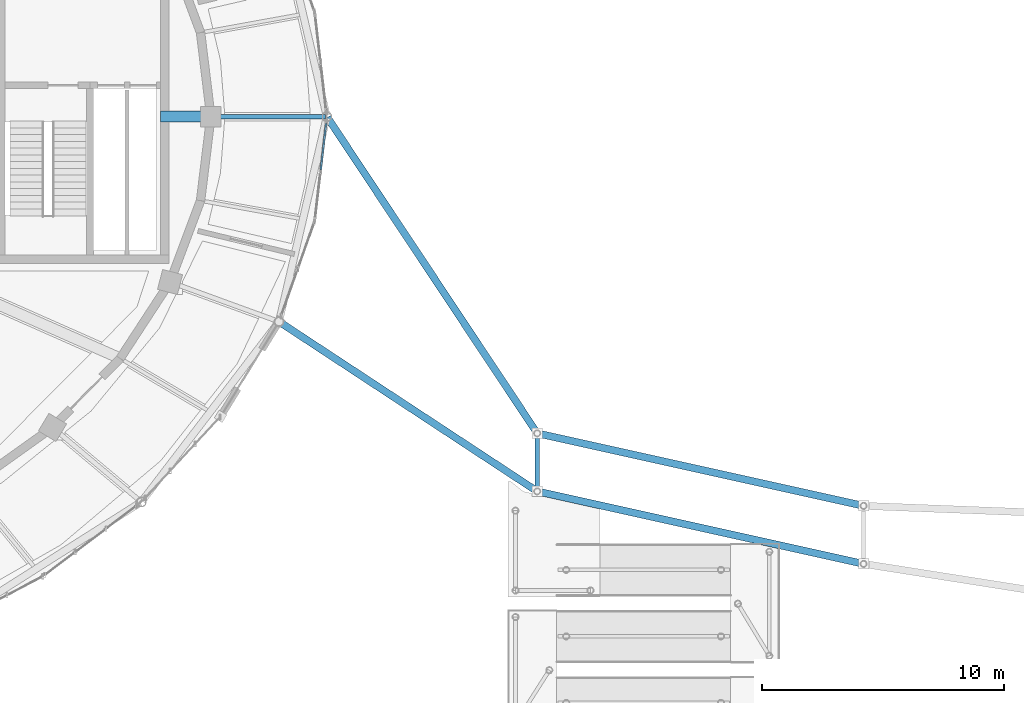
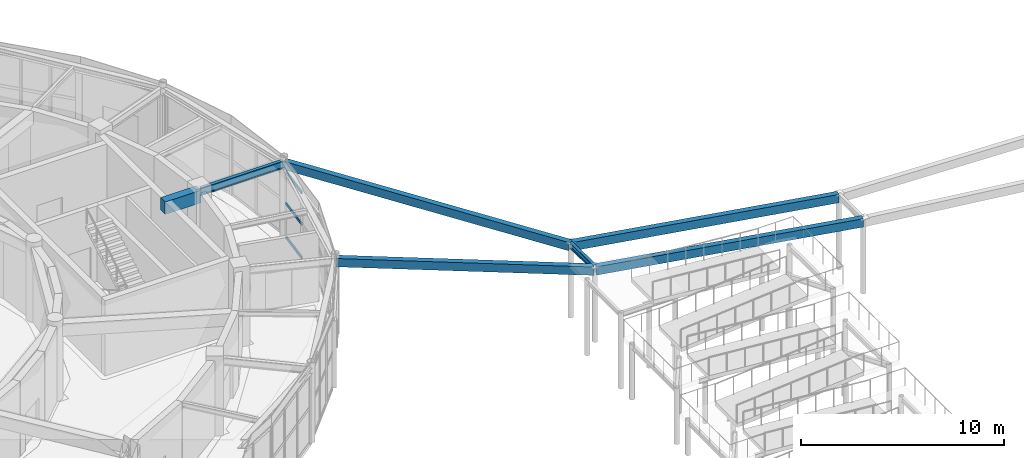
# One storey, part 45 of 108: 7 beams, 3 members, 1 element without a shape of its own.
"""IFC4 building model written with IfcOpenShell, lengths in metres."""

from ifc_helpers import new_model, si_unit, direction, frame, origin, origin_2d, place, context, subcontext, project, spatial, rectangle, hollow_rectangle, i_section, extrude, material, material_profile, profile_set, type_object, element, aggregate, save


model = new_model("IFC4")

# Units and contexts
model_context = context("Model", 3, precision=1e-05, world=origin(), true_north=direction((0.0, 1.0)))
body_context = subcontext(model_context, "Body", "Model", "MODEL_VIEW")
ifc_project = project(units=[si_unit("LENGTHUNIT", "METRE"), si_unit("AREAUNIT", "SQUARE_METRE"), si_unit("VOLUMEUNIT", "CUBIC_METRE"), si_unit("PLANEANGLEUNIT", "RADIAN"), si_unit("MASSUNIT", "GRAM", prefix="KILO")], contexts=[model_context])

# Site, building, storey
site_placement = place(None, origin())
site = spatial("IfcSite", under=ifc_project, at=site_placement, CompositionType="ELEMENT")
building_placement = place(site_placement, origin())
building = spatial("IfcBuilding", under=site, at=building_placement, Name="Tarnveldt Headland Concert Hall", CompositionType="ELEMENT")
storey_placement = place(building_placement, origin())
storey = spatial("IfcBuildingStorey", under=building, at=storey_placement, Name="L00", CompositionType="ELEMENT", Elevation=0.0)

# Beams
ifc_material_1 = material(Name="Concrete C40/50", Category="concrete")
ifc_material_profile_1 = material_profile(ifc_material_1, rectangle(XDim=0.449951171875, YDim=0.75, at=origin_2d()), Name="RC 450x750", Category="concrete")
ifc_profile_set_1 = profile_set([ifc_material_profile_1], Name="Concrete C40/50")
beam_type_1 = type_object("IfcBeamType", Name="CB-450x750", PredefinedType="BEAM", material=ifc_profile_set_1)
beam_1_placement = place(storey_placement, frame((109.419921875, 54.5, 4.14501953125), z_axis=(1.0, 0.0, 0.0), x_axis=(0.0, 1.0, 0.0)))
element("IfcBeam", 1, at=beam_1_placement, inside=storey, type_object=beam_type_1, Name="Framing beam L00-400", PredefinedType="BEAM", context=body_context, shape_type="SweptSolid", body=[
    extrude(rectangle(XDim=0.449951171875, YDim=0.75, at=origin_2d()), origin(), (0.0, 0.0, 1.0), 2.0400390625),
])
ifc_material_2 = material(Name="Steel S355", Category="steel")
ifc_material_profile_2 = material_profile(ifc_material_2, i_section(OverallWidth=0.169921875, OverallDepth=0.360107421875, WebThickness=0.008056640625, FlangeThickness=0.0126953125, FilletRadius=0.01806640625, at=origin_2d()), Name="IPE360", Category="steel")
ifc_profile_set_2 = profile_set([ifc_material_profile_2], Name="Steel S355")
beam_type_2 = type_object("IfcBeamType", Name="SB-IPE360", PredefinedType="JOIST", material=ifc_profile_set_2)
beam_2_placement = place(storey_placement, frame((125.0, 39.0400390625, 4.35009765625), z_axis=(0.0, 1.0, 0.0), x_axis=(-1.0, 0.0, 0.0)))
element("IfcBeam", 2, at=beam_2_placement, inside=storey, type_object=beam_type_2, Name="Framing beam L00-1426", PredefinedType="JOIST", context=body_context, shape_type="SweptSolid", body=[
    extrude(i_section(OverallWidth=0.169921875, OverallDepth=0.360107421875, WebThickness=0.008056640625, FlangeThickness=0.0126953125, FilletRadius=0.01806640625, at=origin_2d()), origin(), (0.0, 0.0, 1.0), 2.320068359375),
])
ifc_material_profile_3 = material_profile(ifc_material_2, i_section(OverallWidth=0.18994140625, OverallDepth=0.449951171875, WebThickness=0.009521484375, FlangeThickness=0.0146484375, FilletRadius=0.02099609375, at=origin_2d()), Name="IPE450", Category="steel")
ifc_profile_set_3 = profile_set([ifc_material_profile_3], Name="Steel S355")
beam_type_3 = type_object("IfcBeamType", Name="SB-IPE450", PredefinedType="BEAM", material=ifc_profile_set_3)
beam_3_placement = place(storey_placement, frame((111.5400390625, 54.5, 4.294921875), z_axis=(1.0, 0.0, 0.0), x_axis=(0.0, 1.0, 0.0)))
element("IfcBeam", 3, at=beam_3_placement, inside=storey, type_object=beam_type_3, Name="Framing beam L00-348", PredefinedType="BEAM", context=body_context, shape_type="SweptSolid", body=[
    extrude(i_section(OverallWidth=0.18994140625, OverallDepth=0.449951171875, WebThickness=0.009521484375, FlangeThickness=0.0146484375, FilletRadius=0.02099609375, at=origin_2d()), origin(), (0.0, 0.0, 1.0), 4.699951171875),
])
ifc_material_profile_4 = material_profile(ifc_material_2, hollow_rectangle(XDim=0.300048828125, YDim=0.5, WallThickness=0.02001953125, at=origin_2d()), Name="RHS 500x300x20", Category="steel")
ifc_profile_set_4 = profile_set([ifc_material_profile_4], Name="Steel S355")
beam_type_4 = type_object("IfcBeamType", Name="SB-RHS500", PredefinedType="BEAM", material=ifc_profile_set_4)
beam_4_placement = place(storey_placement, frame((114.355224609375, 45.995849609375, 4.280029296875), z_axis=(0.835679510347, -0.549217403208, 0.0), x_axis=(0.549217403208, 0.835679510347, 0.0)))
element("IfcBeam", 4, at=beam_4_placement, inside=storey, type_object=beam_type_4, Name="Framing beam L00-1420", PredefinedType="BEAM", context=body_context, shape_type="SweptSolid", body=[
    extrude(hollow_rectangle(XDim=0.300048828125, YDim=0.5, WallThickness=0.02001953125, at=origin_2d()), origin(), (0.0, 0.0, 1.0), 12.69775390625),
])
beam_5_placement = place(storey_placement, frame((116.322021484375, 54.466796875, 4.280029296875), z_axis=(0.553230139137, -0.833028458788, 0.0), x_axis=(0.833028458788, 0.553230139137, 0.0)))
element("IfcBeam", 5, at=beam_5_placement, inside=storey, type_object=beam_type_4, Name="Framing beam L00-1421", PredefinedType="BEAM", context=body_context, shape_type="SweptSolid", body=[
    extrude(hollow_rectangle(XDim=0.300048828125, YDim=0.5, WallThickness=0.02001953125, at=origin_2d()), origin(), (0.0, 0.0, 1.0), 15.645751953125),
])
for number, where, z_axis, x_axis, name in (
    (6, (125.0390625, 38.9912109375, 4.280029296875), (0.976190402499, -0.216915416853, 0.0), (0.216915416853, 0.976190402499, 0.0), "Framing beam L00-1422"),
    (7, (125.0390625, 41.391357421875, 4.280029296875), (0.97618664238, -0.216932337928, 0.0), (0.216932337928, 0.97618664238, 0.0), "Framing beam L00-1423"),
):
    element("IfcBeam", number, at=place(storey_placement, frame(where, z_axis=z_axis, x_axis=x_axis)), inside=storey, type_object=beam_type_4, Name=name, PredefinedType="BEAM", context=body_context, shape_type="SweptSolid", body=[
        extrude(hollow_rectangle(XDim=0.300048828125, YDim=0.5, WallThickness=0.02001953125, at=origin_2d()), origin(), (0.0, 0.0, 1.0), 13.749267578125),
    ])

# Curtain wall, members
ifc_material_3 = material(Name="Marine-anodised aluminium EN AW-6063-T6", Category="aluminium")
curtain_wall_type = type_object("IfcCurtainWallType", Name="CW-F1", PredefinedType="NOTDEFINED", material=ifc_material_3)
curtain_wall_placement = place(storey_placement, origin())
curtain_wall = element("IfcCurtainWall", 8, at=curtain_wall_placement, inside=storey, type_object=curtain_wall_type, Name="Curtain wall CW-L00-026", PredefinedType="NOTDEFINED")
ifc_material_profile_5 = material_profile(ifc_material_3, hollow_rectangle(XDim=0.074951171875, YDim=0.159912109375, WallThickness=0.00390625, at=origin_2d()), Name="ALU TRANSOM 75x160x4", Category="aluminium")
ifc_profile_set_5 = profile_set([ifc_material_profile_5], Name="Marine-anodised aluminium EN AW-6063-T6")
member_type = type_object("IfcMemberType", Name="TR-160", PredefinedType="MEMBER", material=ifc_profile_set_5)
member_1_placement = place(storey_placement, frame((116.044921875, 52.294921875, 0.050048828125), z_axis=(0.114907814894, 0.993376159406, 0.0), x_axis=(-0.993376159406, 0.114907814894, 0.0)))
member_1 = element("IfcMember", 9, at=member_1_placement, type_object=member_type, Name="Transom CW-L00-026-2-1", PredefinedType="MEMBER", context=body_context, shape_type="SweptSolid", body=[
    extrude(hollow_rectangle(XDim=0.074951171875, YDim=0.159912109375, WallThickness=0.00390625, at=origin_2d()), origin(), (0.0, 0.0, 1.0), 1.927001953125),
])
member_2_placement = place(storey_placement, frame((116.044921875, 52.294921875, 2.08935546875), z_axis=(0.114907814894, 0.993376159406, 0.0), x_axis=(-0.993376159406, 0.114907814894, 0.0)))
member_2 = element("IfcMember", 10, at=member_2_placement, type_object=member_type, Name="Transom CW-L00-026-2-2", PredefinedType="MEMBER", context=body_context, shape_type="SweptSolid", body=[
    extrude(hollow_rectangle(XDim=0.074951171875, YDim=0.159912109375, WallThickness=0.00390625, at=origin_2d()), origin(), (0.0, 0.0, 1.0), 1.927001953125),
])
member_3_placement = place(storey_placement, frame((116.044921875, 52.294921875, 3.968017578125), z_axis=(0.114907814894, 0.993376159406, 0.0), x_axis=(-0.993376159406, 0.114907814894, 0.0)))
member_3 = element("IfcMember", 11, at=member_3_placement, type_object=member_type, Name="Transom CW-L00-026-2-3", PredefinedType="MEMBER", context=body_context, shape_type="SweptSolid", body=[
    extrude(hollow_rectangle(XDim=0.074951171875, YDim=0.159912109375, WallThickness=0.00390625, at=origin_2d()), origin(), (0.0, 0.0, 1.0), 1.927001953125),
])
aggregate(curtain_wall, [member_1, member_2, member_3])

save(model, "model.ifc")
